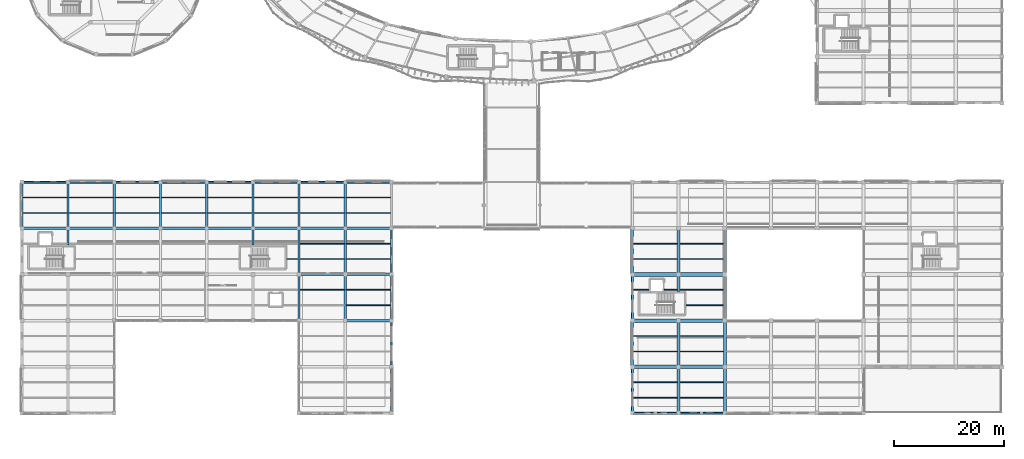
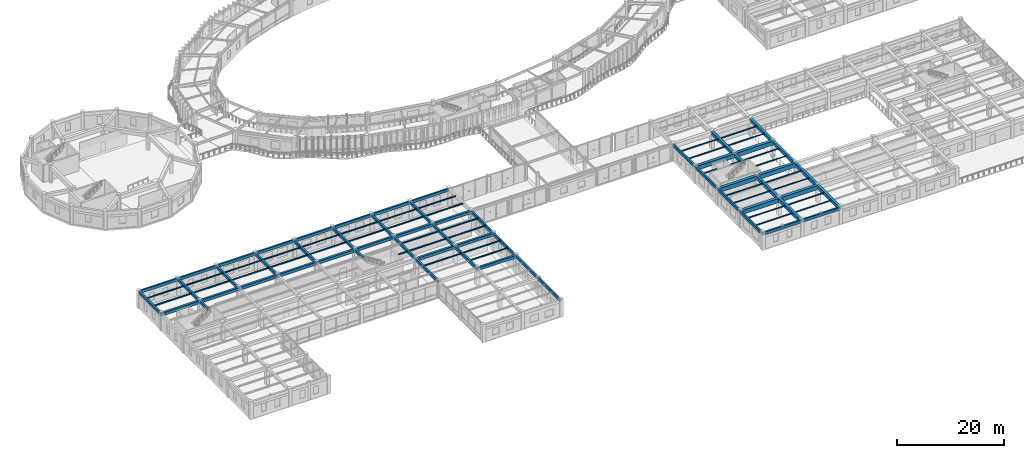
# One storey, part 24 of 152: 97 beams.
"""IFC4 building model written with IfcOpenShell, lengths in metres."""

from ifc_helpers import new_model, si_unit, direction, frame, origin, origin_2d, place, context, subcontext, project, spatial, rectangle, i_section, extrude, material, material_profile, profile_set, type_object, element, save


model = new_model("IFC4")

# Units and contexts
model_context = context("Model", 3, precision=1e-05, world=origin(), true_north=direction((0.0, 1.0)))
body_context = subcontext(model_context, "Body", "Model", "MODEL_VIEW")
ifc_project = project(units=[si_unit("LENGTHUNIT", "METRE"), si_unit("AREAUNIT", "SQUARE_METRE"), si_unit("VOLUMEUNIT", "CUBIC_METRE"), si_unit("PLANEANGLEUNIT", "RADIAN"), si_unit("MASSUNIT", "GRAM", prefix="KILO"), si_unit("THERMODYNAMICTEMPERATUREUNIT", "KELVIN"), si_unit("POWERUNIT", "WATT")], contexts=[model_context])

# Site, building, storey
site_placement = place(None, origin())
site = spatial("IfcSite", under=ifc_project, at=site_placement, CompositionType="ELEMENT")
building_placement = place(site_placement, origin())
building = spatial("IfcBuilding", under=site, at=building_placement, Name="Darbajah Civic Hall", CompositionType="ELEMENT")
storey_placement = place(building_placement, frame((0.0, 0.0, 5.39990234375)))
storey = spatial("IfcBuildingStorey", under=building, at=storey_placement, Name="L01", CompositionType="ELEMENT", Elevation=5.39990234375)

# Beams
ifc_material_1 = material(Name="Concrete C45/55", Category="concrete")
ifc_material_profile_1 = material_profile(ifc_material_1, rectangle(XDim=0.39990234375, YDim=0.60009765625, at=origin_2d()), Name="RC BEAM 400x600")
ifc_profile_set_1 = profile_set([ifc_material_profile_1], Name="Concrete C45/55")
beam_type_1 = type_object("IfcBeamType", Name="RC BEAM 400x600", PredefinedType="BEAM", material=ifc_profile_set_1)
beam_1_placement = place(storey_placement, frame((8.39990234375, 30.5400390625, 3.64013671875), z_axis=(0.0, 1.0, 0.0), x_axis=(-1.0, 0.0, 0.0)))
element("IfcBeam", 1, at=beam_1_placement, inside=storey, type_object=beam_type_1, Name="L01 beam BM-4060", PredefinedType="BEAM", context=body_context, shape_type="SweptSolid", body=[
    extrude(rectangle(XDim=0.39990234375, YDim=0.60009765625, at=origin_2d()), origin(), (0.0, 0.0, 1.0), 2.97998046875),
])
for number, where, z_axis, x_axis, name in (
    (2, (8.39990234375, 33.679931640625, 3.64013671875), (0.0, 1.0, 0.0), (-1.0, 0.0, 0.0), "L01 beam BM-4060"),
    (3, (16.800048828125, 33.679931640625, 3.64013671875), (0.0, 1.0, 0.0), (-1.0, 0.0, 0.0), "L01 beam BM-4060"),
    (4, (25.199951171875, 33.679931640625, 3.64013671875), (0.0, 1.0, 0.0), (-1.0, 0.0, 0.0), "L01 beam BM-4060"),
    (5, (33.60009765625, 33.679931640625, 3.64013671875), (0.0, 1.0, 0.0), (-1.0, 0.0, 0.0), "L01 beam BM-4060"),
):
    element("IfcBeam", number, at=place(storey_placement, frame(where, z_axis=z_axis, x_axis=x_axis)), inside=storey, type_object=beam_type_1, Name=name, PredefinedType="BEAM", context=body_context, shape_type="SweptSolid", body=[
        extrude(rectangle(XDim=0.39990234375, YDim=0.60009765625, at=origin_2d()), origin(), (0.0, 0.0, 1.0), 8.239990234375),
    ])
beam_2_placement = place(storey_placement, frame((42.0, 30.5400390625, 3.64013671875), z_axis=(0.0, 1.0, 0.0), x_axis=(-1.0, 0.0, 0.0)))
element("IfcBeam", 6, at=beam_2_placement, inside=storey, type_object=beam_type_1, Name="L01 beam BM-4060", PredefinedType="BEAM", context=body_context, shape_type="SweptSolid", body=[
    extrude(rectangle(XDim=0.39990234375, YDim=0.60009765625, at=origin_2d()), origin(), (0.0, 0.0, 1.0), 2.97998046875),
])
beam_3_placement = place(storey_placement, frame((42.0, 33.679931640625, 3.64013671875), z_axis=(0.0, 1.0, 0.0), x_axis=(-1.0, 0.0, 0.0)))
element("IfcBeam", 7, at=beam_3_placement, inside=storey, type_object=beam_type_1, Name="L01 beam BM-4060", PredefinedType="BEAM", context=body_context, shape_type="SweptSolid", body=[
    extrude(rectangle(XDim=0.39990234375, YDim=0.60009765625, at=origin_2d()), origin(), (0.0, 0.0, 1.0), 8.239990234375),
])
beam_4_placement = place(storey_placement, frame((50.39990234375, 16.8798828125, 3.64013671875), z_axis=(0.0, 1.0, 0.0), x_axis=(-1.0, 0.0, 0.0)))
element("IfcBeam", 8, at=beam_4_placement, inside=storey, type_object=beam_type_1, Name="L01 beam BM-4060", PredefinedType="BEAM", context=body_context, shape_type="SweptSolid", body=[
    extrude(rectangle(XDim=0.39990234375, YDim=0.60009765625, at=origin_2d()), origin(), (0.0, 0.0, 1.0), 8.240234375),
])
for number, where, z_axis, x_axis, name in (
    (9, (50.39990234375, 25.280029296875, 3.64013671875), (0.0, 1.0, 0.0), (-1.0, 0.0, 0.0), "L01 beam BM-4060"),
    (10, (50.39990234375, 33.679931640625, 3.64013671875), (0.0, 1.0, 0.0), (-1.0, 0.0, 0.0), "L01 beam BM-4060"),
):
    element("IfcBeam", number, at=place(storey_placement, frame(where, z_axis=z_axis, x_axis=x_axis)), inside=storey, type_object=beam_type_1, Name=name, PredefinedType="BEAM", context=body_context, shape_type="SweptSolid", body=[
        extrude(rectangle(XDim=0.39990234375, YDim=0.60009765625, at=origin_2d()), origin(), (0.0, 0.0, 1.0), 8.239990234375),
    ])
beam_5_placement = place(storey_placement, frame((58.800048828125, 16.8798828125, 3.64013671875), z_axis=(0.0, 1.0, 0.0), x_axis=(-1.0, 0.0, 0.0)))
element("IfcBeam", 11, at=beam_5_placement, inside=storey, type_object=beam_type_1, Name="L01 beam BM-4060", PredefinedType="BEAM", context=body_context, shape_type="SweptSolid", body=[
    extrude(rectangle(XDim=0.39990234375, YDim=0.60009765625, at=origin_2d()), origin(), (0.0, 0.0, 1.0), 8.240234375),
])
for number, where, z_axis, x_axis, name in (
    (12, (58.800048828125, 25.280029296875, 3.64013671875), (0.0, 1.0, 0.0), (-1.0, 0.0, 0.0), "L01 beam BM-4060"),
    (13, (58.800048828125, 33.679931640625, 3.64013671875), (0.0, 1.0, 0.0), (-1.0, 0.0, 0.0), "L01 beam BM-4060"),
):
    element("IfcBeam", number, at=place(storey_placement, frame(where, z_axis=z_axis, x_axis=x_axis)), inside=storey, type_object=beam_type_1, Name=name, PredefinedType="BEAM", context=body_context, shape_type="SweptSolid", body=[
        extrude(rectangle(XDim=0.39990234375, YDim=0.60009765625, at=origin_2d()), origin(), (0.0, 0.0, 1.0), 8.239990234375),
    ])
ifc_material_profile_2 = material_profile(ifc_material_1, rectangle(XDim=0.449951171875, YDim=0.64990234375, at=origin_2d()), Name="RC BEAM 450x650")
ifc_profile_set_2 = profile_set([ifc_material_profile_2], Name="Concrete C45/55")
beam_type_2 = type_object("IfcBeamType", Name="RC BEAM 450x650", PredefinedType="BEAM", material=ifc_profile_set_2)
beam_6_placement = place(storey_placement, frame((58.8798828125, 16.800048828125, 3.614990234375), z_axis=(1.0, 0.0, 0.0), x_axis=(0.0, 1.0, 0.0)))
element("IfcBeam", 14, at=beam_6_placement, inside=storey, type_object=beam_type_2, Name="L01 beam BM-4565", PredefinedType="BEAM", context=body_context, shape_type="SweptSolid", body=[
    extrude(rectangle(XDim=0.449951171875, YDim=0.64990234375, at=origin_2d()), origin(), (0.0, 0.0, 1.0), 8.240234375),
])
beam_7_placement = place(storey_placement, frame((50.47998046875, 25.199951171875, 3.614990234375), z_axis=(1.0, 0.0, 0.0), x_axis=(0.0, 1.0, 0.0)))
element("IfcBeam", 15, at=beam_7_placement, inside=storey, type_object=beam_type_2, Name="L01 beam BM-4565", PredefinedType="BEAM", context=body_context, shape_type="SweptSolid", body=[
    extrude(rectangle(XDim=0.449951171875, YDim=0.64990234375, at=origin_2d()), origin(), (0.0, 0.0, 1.0), 8.239990234375),
])
beam_8_placement = place(storey_placement, frame((58.8798828125, 25.199951171875, 3.614990234375), z_axis=(1.0, 0.0, 0.0), x_axis=(0.0, 1.0, 0.0)))
element("IfcBeam", 16, at=beam_8_placement, inside=storey, type_object=beam_type_2, Name="L01 beam BM-4565", PredefinedType="BEAM", context=body_context, shape_type="SweptSolid", body=[
    extrude(rectangle(XDim=0.449951171875, YDim=0.64990234375, at=origin_2d()), origin(), (0.0, 0.0, 1.0), 8.240234375),
])
for number, where, z_axis, x_axis, name in (
    (17, (0.080078125, 33.60009765625, 3.614990234375), (1.0, 0.0, 0.0), (0.0, 1.0, 0.0), "L01 beam BM-4565"),
    (18, (8.47998046875, 33.60009765625, 3.614990234375), (1.0, 0.0, 0.0), (0.0, 1.0, 0.0), "L01 beam BM-4565"),
):
    element("IfcBeam", number, at=place(storey_placement, frame(where, z_axis=z_axis, x_axis=x_axis)), inside=storey, type_object=beam_type_2, Name=name, PredefinedType="BEAM", context=body_context, shape_type="SweptSolid", body=[
        extrude(rectangle(XDim=0.449951171875, YDim=0.64990234375, at=origin_2d()), origin(), (0.0, 0.0, 1.0), 8.239990234375),
    ])
beam_9_placement = place(storey_placement, frame((16.8798828125, 33.60009765625, 3.614990234375), z_axis=(1.0, 0.0, 0.0), x_axis=(0.0, 1.0, 0.0)))
element("IfcBeam", 19, at=beam_9_placement, inside=storey, type_object=beam_type_2, Name="L01 beam BM-4565", PredefinedType="BEAM", context=body_context, shape_type="SweptSolid", body=[
    extrude(rectangle(XDim=0.449951171875, YDim=0.64990234375, at=origin_2d()), origin(), (0.0, 0.0, 1.0), 8.240234375),
])
for number, where, z_axis, x_axis, name in (
    (20, (25.280029296875, 33.60009765625, 3.614990234375), (1.0, 0.0, 0.0), (0.0, 1.0, 0.0), "L01 beam BM-4565"),
    (21, (33.679931640625, 33.60009765625, 3.614990234375), (1.0, 0.0, 0.0), (0.0, 1.0, 0.0), "L01 beam BM-4565"),
    (22, (42.080078125, 33.60009765625, 3.614990234375), (1.0, 0.0, 0.0), (0.0, 1.0, 0.0), "L01 beam BM-4565"),
    (23, (50.47998046875, 33.60009765625, 3.614990234375), (1.0, 0.0, 0.0), (0.0, 1.0, 0.0), "L01 beam BM-4565"),
):
    element("IfcBeam", number, at=place(storey_placement, frame(where, z_axis=z_axis, x_axis=x_axis)), inside=storey, type_object=beam_type_2, Name=name, PredefinedType="BEAM", context=body_context, shape_type="SweptSolid", body=[
        extrude(rectangle(XDim=0.449951171875, YDim=0.64990234375, at=origin_2d()), origin(), (0.0, 0.0, 1.0), 8.239990234375),
    ])
beam_10_placement = place(storey_placement, frame((58.8798828125, 33.60009765625, 3.614990234375), z_axis=(1.0, 0.0, 0.0), x_axis=(0.0, 1.0, 0.0)))
element("IfcBeam", 24, at=beam_10_placement, inside=storey, type_object=beam_type_2, Name="L01 beam BM-4565", PredefinedType="BEAM", context=body_context, shape_type="SweptSolid", body=[
    extrude(rectangle(XDim=0.449951171875, YDim=0.64990234375, at=origin_2d()), origin(), (0.0, 0.0, 1.0), 8.240234375),
])
ifc_material_profile_3 = material_profile(ifc_material_1, rectangle(XDim=0.550048828125, YDim=0.75, at=origin_2d()), Name="RC BEAM 550x750")
ifc_profile_set_3 = profile_set([ifc_material_profile_3], Name="Concrete C45/55")
beam_type_3 = type_object("IfcBeamType", Name="RC BEAM 550x750", PredefinedType="BEAM", material=ifc_profile_set_3)
for number, where, z_axis, x_axis, name in (
    (25, (119.39990234375, 0.080078125, 3.525146484375), (0.0, 1.0, 0.0), (-1.0, 0.0, 0.0), "L01 beam BM-5575"),
    (26, (119.39990234375, 8.47998046875, 3.525146484375), (0.0, 1.0, 0.0), (-1.0, 0.0, 0.0), "L01 beam BM-5575"),
):
    element("IfcBeam", number, at=place(storey_placement, frame(where, z_axis=z_axis, x_axis=x_axis)), inside=storey, type_object=beam_type_3, Name=name, PredefinedType="BEAM", context=body_context, shape_type="SweptSolid", body=[
        extrude(rectangle(XDim=0.550048828125, YDim=0.75, at=origin_2d()), origin(), (0.0, 0.0, 1.0), 8.239990234375),
    ])
beam_11_placement = place(storey_placement, frame((119.39990234375, 22.139892578125, 3.525146484375), z_axis=(0.0, 1.0, 0.0), x_axis=(-1.0, 0.0, 0.0)))
element("IfcBeam", 27, at=beam_11_placement, inside=storey, type_object=beam_type_3, Name="L01 beam BM-5575", PredefinedType="BEAM", context=body_context, shape_type="SweptSolid", body=[
    extrude(rectangle(XDim=0.550048828125, YDim=0.75, at=origin_2d()), origin(), (0.0, 0.0, 1.0), 2.980224609375),
])
for number, where, z_axis, x_axis, name in (
    (28, (119.39990234375, 25.280029296875, 3.525146484375), (0.0, 1.0, 0.0), (-1.0, 0.0, 0.0), "L01 beam BM-5575"),
    (29, (127.800048828125, 0.080078125, 3.525146484375), (0.0, 1.0, 0.0), (-1.0, 0.0, 0.0), "L01 beam BM-5575"),
    (30, (127.800048828125, 8.47998046875, 3.525146484375), (0.0, 1.0, 0.0), (-1.0, 0.0, 0.0), "L01 beam BM-5575"),
):
    element("IfcBeam", number, at=place(storey_placement, frame(where, z_axis=z_axis, x_axis=x_axis)), inside=storey, type_object=beam_type_3, Name=name, PredefinedType="BEAM", context=body_context, shape_type="SweptSolid", body=[
        extrude(rectangle(XDim=0.550048828125, YDim=0.75, at=origin_2d()), origin(), (0.0, 0.0, 1.0), 8.239990234375),
    ])
beam_12_placement = place(storey_placement, frame((127.800048828125, 16.8798828125, 3.525146484375), z_axis=(0.0, 1.0, 0.0), x_axis=(-1.0, 0.0, 0.0)))
element("IfcBeam", 31, at=beam_12_placement, inside=storey, type_object=beam_type_3, Name="L01 beam BM-5575", PredefinedType="BEAM", context=body_context, shape_type="SweptSolid", body=[
    extrude(rectangle(XDim=0.550048828125, YDim=0.75, at=origin_2d()), origin(), (0.0, 0.0, 1.0), 8.240234375),
])
beam_13_placement = place(storey_placement, frame((127.800048828125, 25.280029296875, 3.525146484375), z_axis=(0.0, 1.0, 0.0), x_axis=(-1.0, 0.0, 0.0)))
element("IfcBeam", 32, at=beam_13_placement, inside=storey, type_object=beam_type_3, Name="L01 beam BM-5575", PredefinedType="BEAM", context=body_context, shape_type="SweptSolid", body=[
    extrude(rectangle(XDim=0.550048828125, YDim=0.75, at=origin_2d()), origin(), (0.0, 0.0, 1.0), 8.239990234375),
])
ifc_material_2 = material(Name="Concrete C50/60", Category="concrete")
ifc_material_profile_4 = material_profile(ifc_material_2, rectangle(XDim=0.64990234375, YDim=0.949951171875, at=origin_2d()), Name="RC GIRDER 650x950")
ifc_profile_set_4 = profile_set([ifc_material_profile_4], Name="Concrete C50/60")
beam_type_4 = type_object("IfcBeamType", Name="RC GIRDER 650x950", PredefinedType="BEAM", material=ifc_profile_set_4)
for number, where, z_axis, x_axis, name in (
    (33, (111.080078125, 8.39990234375, 3.425048828125), (1.0, 0.0, 0.0), (0.0, 1.0, 0.0), "L01 beam BG-6595"),
    (34, (119.47998046875, 8.39990234375, 3.425048828125), (1.0, 0.0, 0.0), (0.0, 1.0, 0.0), "L01 beam BG-6595"),
    (35, (111.080078125, 16.800048828125, 3.425048828125), (1.0, 0.0, 0.0), (0.0, 1.0, 0.0), "L01 beam BG-6595"),
    (36, (119.47998046875, 16.800048828125, 3.425048828125), (1.0, 0.0, 0.0), (0.0, 1.0, 0.0), "L01 beam BG-6595"),
    (37, (111.080078125, 25.199951171875, 3.425048828125), (1.0, 0.0, 0.0), (0.0, 1.0, 0.0), "L01 beam BG-6595"),
    (38, (119.47998046875, 25.199951171875, 3.425048828125), (1.0, 0.0, 0.0), (0.0, 1.0, 0.0), "L01 beam BG-6595"),
):
    element("IfcBeam", number, at=place(storey_placement, frame(where, z_axis=z_axis, x_axis=x_axis)), inside=storey, type_object=beam_type_4, Name=name, PredefinedType="BEAM", context=body_context, shape_type="SweptSolid", body=[
        extrude(rectangle(XDim=0.64990234375, YDim=0.949951171875, at=origin_2d()), origin(), (0.0, 0.0, 1.0), 8.239990234375),
    ])
ifc_material_profile_5 = material_profile(ifc_material_1, rectangle(XDim=0.35009765625, YDim=0.64990234375, at=origin_2d()), Name="RC SPANDREL 350x650")
ifc_profile_set_5 = profile_set([ifc_material_profile_5], Name="Concrete C45/55")
beam_type_5 = type_object("IfcBeamType", Name="RC SPANDREL 350x650", PredefinedType="SPANDREL", material=ifc_profile_set_5)
for number, where, z_axis, x_axis, name in (
    (39, (111.080078125, 0.0, 3.5751953125), (1.0, 0.0, 0.0), (0.0, 1.0, 0.0), "L01 beam SP-3565"),
    (40, (119.47998046875, 0.0, 3.5751953125), (1.0, 0.0, 0.0), (0.0, 1.0, 0.0), "L01 beam SP-3565"),
    (41, (111.0, 0.080078125, 3.5751953125), (0.0, 1.0, 0.0), (-1.0, 0.0, 0.0), "L01 beam SP-3565"),
    (42, (111.0, 8.47998046875, 3.5751953125), (0.0, 1.0, 0.0), (-1.0, 0.0, 0.0), "L01 beam SP-3565"),
):
    element("IfcBeam", number, at=place(storey_placement, frame(where, z_axis=z_axis, x_axis=x_axis)), inside=storey, type_object=beam_type_5, Name=name, PredefinedType="SPANDREL", context=body_context, shape_type="SweptSolid", body=[
        extrude(rectangle(XDim=0.35009765625, YDim=0.64990234375, at=origin_2d()), origin(), (0.0, 0.0, 1.0), 8.239990234375),
    ])
beam_14_placement = place(storey_placement, frame((111.0, 16.8798828125, 3.5751953125), z_axis=(0.0, 1.0, 0.0), x_axis=(-1.0, 0.0, 0.0)))
element("IfcBeam", 43, at=beam_14_placement, inside=storey, type_object=beam_type_5, Name="L01 beam SP-3565", PredefinedType="SPANDREL", context=body_context, shape_type="SweptSolid", body=[
    extrude(rectangle(XDim=0.35009765625, YDim=0.64990234375, at=origin_2d()), origin(), (0.0, 0.0, 1.0), 8.240234375),
])
for number, where, z_axis, x_axis, name in (
    (44, (111.0, 25.280029296875, 3.5751953125), (0.0, 1.0, 0.0), (-1.0, 0.0, 0.0), "L01 beam SP-3565"),
    (45, (0.080078125, 42.0, 3.614990234375), (1.0, 0.0, 0.0), (0.0, 1.0, 0.0), "L01 beam SP-3565"),
    (46, (8.47998046875, 42.0, 3.614990234375), (1.0, 0.0, 0.0), (0.0, 1.0, 0.0), "L01 beam SP-3565"),
):
    element("IfcBeam", number, at=place(storey_placement, frame(where, z_axis=z_axis, x_axis=x_axis)), inside=storey, type_object=beam_type_5, Name=name, PredefinedType="SPANDREL", context=body_context, shape_type="SweptSolid", body=[
        extrude(rectangle(XDim=0.35009765625, YDim=0.64990234375, at=origin_2d()), origin(), (0.0, 0.0, 1.0), 8.239990234375),
    ])
beam_15_placement = place(storey_placement, frame((16.8798828125, 42.0, 3.614990234375), z_axis=(1.0, 0.0, 0.0), x_axis=(0.0, 1.0, 0.0)))
element("IfcBeam", 47, at=beam_15_placement, inside=storey, type_object=beam_type_5, Name="L01 beam SP-3565", PredefinedType="SPANDREL", context=body_context, shape_type="SweptSolid", body=[
    extrude(rectangle(XDim=0.35009765625, YDim=0.64990234375, at=origin_2d()), origin(), (0.0, 0.0, 1.0), 8.240234375),
])
for number, where, z_axis, x_axis, name in (
    (48, (25.280029296875, 42.0, 3.614990234375), (1.0, 0.0, 0.0), (0.0, 1.0, 0.0), "L01 beam SP-3565"),
    (49, (33.679931640625, 42.0, 3.614990234375), (1.0, 0.0, 0.0), (0.0, 1.0, 0.0), "L01 beam SP-3565"),
    (50, (42.080078125, 42.0, 3.614990234375), (1.0, 0.0, 0.0), (0.0, 1.0, 0.0), "L01 beam SP-3565"),
    (51, (50.47998046875, 42.0, 3.614990234375), (1.0, 0.0, 0.0), (0.0, 1.0, 0.0), "L01 beam SP-3565"),
):
    element("IfcBeam", number, at=place(storey_placement, frame(where, z_axis=z_axis, x_axis=x_axis)), inside=storey, type_object=beam_type_5, Name=name, PredefinedType="SPANDREL", context=body_context, shape_type="SweptSolid", body=[
        extrude(rectangle(XDim=0.35009765625, YDim=0.64990234375, at=origin_2d()), origin(), (0.0, 0.0, 1.0), 8.239990234375),
    ])
beam_16_placement = place(storey_placement, frame((58.8798828125, 42.0, 3.614990234375), z_axis=(1.0, 0.0, 0.0), x_axis=(0.0, 1.0, 0.0)))
element("IfcBeam", 52, at=beam_16_placement, inside=storey, type_object=beam_type_5, Name="L01 beam SP-3565", PredefinedType="SPANDREL", context=body_context, shape_type="SweptSolid", body=[
    extrude(rectangle(XDim=0.35009765625, YDim=0.64990234375, at=origin_2d()), origin(), (0.0, 0.0, 1.0), 8.240234375),
])
for number, where, z_axis, x_axis, name in (
    (53, (0.0, 33.679931640625, 3.614990234375), (0.0, 1.0, 0.0), (-1.0, 0.0, 0.0), "L01 beam SP-3565"),
    (54, (67.199951171875, 0.080078125, 3.614990234375), (0.0, 1.0, 0.0), (-1.0, 0.0, 0.0), "L01 beam SP-3565"),
    (55, (67.199951171875, 8.47998046875, 3.614990234375), (0.0, 1.0, 0.0), (-1.0, 0.0, 0.0), "L01 beam SP-3565"),
):
    element("IfcBeam", number, at=place(storey_placement, frame(where, z_axis=z_axis, x_axis=x_axis)), inside=storey, type_object=beam_type_5, Name=name, PredefinedType="SPANDREL", context=body_context, shape_type="SweptSolid", body=[
        extrude(rectangle(XDim=0.35009765625, YDim=0.64990234375, at=origin_2d()), origin(), (0.0, 0.0, 1.0), 8.239990234375),
    ])
beam_17_placement = place(storey_placement, frame((67.199951171875, 16.8798828125, 3.614990234375), z_axis=(0.0, 1.0, 0.0), x_axis=(-1.0, 0.0, 0.0)))
element("IfcBeam", 56, at=beam_17_placement, inside=storey, type_object=beam_type_5, Name="L01 beam SP-3565", PredefinedType="SPANDREL", context=body_context, shape_type="SweptSolid", body=[
    extrude(rectangle(XDim=0.35009765625, YDim=0.64990234375, at=origin_2d()), origin(), (0.0, 0.0, 1.0), 8.240234375),
])
beam_18_placement = place(storey_placement, frame((67.199951171875, 25.280029296875, 3.614990234375), z_axis=(0.0, 1.0, 0.0), x_axis=(-1.0, 0.0, 0.0)))
element("IfcBeam", 57, at=beam_18_placement, inside=storey, type_object=beam_type_5, Name="L01 beam SP-3565", PredefinedType="SPANDREL", context=body_context, shape_type="SweptSolid", body=[
    extrude(rectangle(XDim=0.35009765625, YDim=0.64990234375, at=origin_2d()), origin(), (0.0, 0.0, 1.0), 8.239990234375),
])
ifc_material_3 = material(Name="Steel S355JR", Category="steel")
ifc_material_profile_6 = material_profile(ifc_material_3, i_section(OverallWidth=0.1337890625, OverallDepth=0.206787109375, WebThickness=0.00634765625, FlangeThickness=0.009521484375, FilletRadius=0.007568359375, at=origin_2d()), Name="UB 203x133x30")
ifc_profile_set_6 = profile_set([ifc_material_profile_6], Name="Steel S355JR")
beam_type_6 = type_object("IfcBeamType", Name="UB 203x133x30", PredefinedType="JOIST", material=ifc_profile_set_6)
for number, where, z_axis, x_axis, name in (
    (58, (0.175048828125, 36.39990234375, 3.836669921875), (1.0, 0.0, 0.0), (0.0, 1.0, 0.0), "L01 beam SJ-203"),
    (59, (0.175048828125, 39.199951171875, 3.836669921875), (1.0, 0.0, 0.0), (0.0, 1.0, 0.0), "L01 beam SJ-203"),
):
    element("IfcBeam", number, at=place(storey_placement, frame(where, z_axis=z_axis, x_axis=x_axis)), inside=storey, type_object=beam_type_6, Name=name, PredefinedType="JOIST", context=body_context, shape_type="SweptSolid", body=[
        extrude(i_section(OverallWidth=0.1337890625, OverallDepth=0.206787109375, WebThickness=0.00634765625, FlangeThickness=0.009521484375, FilletRadius=0.007568359375, at=origin_2d()), origin(), (0.0, 0.0, 1.0), 8.02490234375),
    ])
for number, where, z_axis, x_axis, name in (
    (60, (8.60009765625, 36.39990234375, 3.836669921875), (1.0, 0.0, 0.0), (0.0, 1.0, 0.0), "L01 beam SJ-203"),
    (61, (8.60009765625, 39.199951171875, 3.836669921875), (1.0, 0.0, 0.0), (0.0, 1.0, 0.0), "L01 beam SJ-203"),
    (62, (17.0, 36.39990234375, 3.836669921875), (1.0, 0.0, 0.0), (0.0, 1.0, 0.0), "L01 beam SJ-203"),
    (63, (17.0, 39.199951171875, 3.836669921875), (1.0, 0.0, 0.0), (0.0, 1.0, 0.0), "L01 beam SJ-203"),
    (64, (25.39990234375, 36.39990234375, 3.836669921875), (1.0, 0.0, 0.0), (0.0, 1.0, 0.0), "L01 beam SJ-203"),
    (65, (25.39990234375, 39.199951171875, 3.836669921875), (1.0, 0.0, 0.0), (0.0, 1.0, 0.0), "L01 beam SJ-203"),
    (66, (33.800048828125, 36.39990234375, 3.836669921875), (1.0, 0.0, 0.0), (0.0, 1.0, 0.0), "L01 beam SJ-203"),
    (67, (33.800048828125, 39.199951171875, 3.836669921875), (1.0, 0.0, 0.0), (0.0, 1.0, 0.0), "L01 beam SJ-203"),
):
    element("IfcBeam", number, at=place(storey_placement, frame(where, z_axis=z_axis, x_axis=x_axis)), inside=storey, type_object=beam_type_6, Name=name, PredefinedType="JOIST", context=body_context, shape_type="SweptSolid", body=[
        extrude(i_section(OverallWidth=0.1337890625, OverallDepth=0.206787109375, WebThickness=0.00634765625, FlangeThickness=0.009521484375, FilletRadius=0.007568359375, at=origin_2d()), origin(), (0.0, 0.0, 1.0), 8.0),
    ])
beam_19_placement = place(storey_placement, frame((48.139892578125, 28.0, 3.836669921875), z_axis=(1.0, 0.0, 0.0), x_axis=(0.0, 1.0, 0.0)))
element("IfcBeam", 68, at=beam_19_placement, inside=storey, type_object=beam_type_6, Name="L01 beam SJ-203", PredefinedType="JOIST", context=body_context, shape_type="SweptSolid", body=[
    extrude(i_section(OverallWidth=0.1337890625, OverallDepth=0.206787109375, WebThickness=0.00634765625, FlangeThickness=0.009521484375, FilletRadius=0.007568359375, at=origin_2d()), origin(), (0.0, 0.0, 1.0), 2.06005859375),
])
for number, where, z_axis, x_axis, name in (
    (69, (42.199951171875, 36.39990234375, 3.836669921875), (1.0, 0.0, 0.0), (0.0, 1.0, 0.0), "L01 beam SJ-203"),
    (70, (42.199951171875, 39.199951171875, 3.836669921875), (1.0, 0.0, 0.0), (0.0, 1.0, 0.0), "L01 beam SJ-203"),
    (71, (50.60009765625, 22.39990234375, 3.836669921875), (1.0, 0.0, 0.0), (0.0, 1.0, 0.0), "L01 beam SJ-203"),
    (72, (50.60009765625, 28.0, 3.836669921875), (1.0, 0.0, 0.0), (0.0, 1.0, 0.0), "L01 beam SJ-203"),
    (73, (50.60009765625, 30.800048828125, 3.836669921875), (1.0, 0.0, 0.0), (0.0, 1.0, 0.0), "L01 beam SJ-203"),
    (74, (50.60009765625, 36.39990234375, 3.836669921875), (1.0, 0.0, 0.0), (0.0, 1.0, 0.0), "L01 beam SJ-203"),
    (75, (50.60009765625, 39.199951171875, 3.836669921875), (1.0, 0.0, 0.0), (0.0, 1.0, 0.0), "L01 beam SJ-203"),
):
    element("IfcBeam", number, at=place(storey_placement, frame(where, z_axis=z_axis, x_axis=x_axis)), inside=storey, type_object=beam_type_6, Name=name, PredefinedType="JOIST", context=body_context, shape_type="SweptSolid", body=[
        extrude(i_section(OverallWidth=0.1337890625, OverallDepth=0.206787109375, WebThickness=0.00634765625, FlangeThickness=0.009521484375, FilletRadius=0.007568359375, at=origin_2d()), origin(), (0.0, 0.0, 1.0), 8.0),
    ])
for number, where, z_axis, x_axis, name in (
    (76, (59.0, 19.60009765625, 3.836669921875), (1.0, 0.0, 0.0), (0.0, 1.0, 0.0), "L01 beam SJ-203"),
    (77, (59.0, 22.39990234375, 3.836669921875), (1.0, 0.0, 0.0), (0.0, 1.0, 0.0), "L01 beam SJ-203"),
    (78, (59.0, 28.0, 3.836669921875), (1.0, 0.0, 0.0), (0.0, 1.0, 0.0), "L01 beam SJ-203"),
    (79, (59.0, 30.800048828125, 3.836669921875), (1.0, 0.0, 0.0), (0.0, 1.0, 0.0), "L01 beam SJ-203"),
    (80, (59.0, 36.39990234375, 3.836669921875), (1.0, 0.0, 0.0), (0.0, 1.0, 0.0), "L01 beam SJ-203"),
    (81, (59.0, 39.199951171875, 3.836669921875), (1.0, 0.0, 0.0), (0.0, 1.0, 0.0), "L01 beam SJ-203"),
):
    element("IfcBeam", number, at=place(storey_placement, frame(where, z_axis=z_axis, x_axis=x_axis)), inside=storey, type_object=beam_type_6, Name=name, PredefinedType="JOIST", context=body_context, shape_type="SweptSolid", body=[
        extrude(i_section(OverallWidth=0.1337890625, OverallDepth=0.206787109375, WebThickness=0.00634765625, FlangeThickness=0.009521484375, FilletRadius=0.007568359375, at=origin_2d()), origin(), (0.0, 0.0, 1.0), 8.02490234375),
    ])
ifc_material_profile_7 = material_profile(ifc_material_3, i_section(OverallWidth=0.146484375, OverallDepth=0.256103515625, WebThickness=0.00634765625, FlangeThickness=0.010986328125, FilletRadius=0.007568359375, at=origin_2d()), Name="UB 254x146x37")
ifc_profile_set_7 = profile_set([ifc_material_profile_7], Name="Steel S355JR")
beam_type_7 = type_object("IfcBeamType", Name="UB 254x146x37", PredefinedType="JOIST", material=ifc_profile_set_7)
for number, where, z_axis, x_axis, name in (
    (82, (111.175048828125, 2.800048828125, 3.772216796875), (1.0, 0.0, 0.0), (0.0, 1.0, 0.0), "L01 beam SJ-254"),
    (83, (111.175048828125, 5.60009765625, 3.772216796875), (1.0, 0.0, 0.0), (0.0, 1.0, 0.0), "L01 beam SJ-254"),
    (84, (111.175048828125, 11.199951171875, 3.772216796875), (1.0, 0.0, 0.0), (0.0, 1.0, 0.0), "L01 beam SJ-254"),
    (85, (111.175048828125, 14.0, 3.772216796875), (1.0, 0.0, 0.0), (0.0, 1.0, 0.0), "L01 beam SJ-254"),
):
    element("IfcBeam", number, at=place(storey_placement, frame(where, z_axis=z_axis, x_axis=x_axis)), inside=storey, type_object=beam_type_7, Name=name, PredefinedType="JOIST", context=body_context, shape_type="SweptSolid", body=[
        extrude(i_section(OverallWidth=0.146484375, OverallDepth=0.256103515625, WebThickness=0.00634765625, FlangeThickness=0.010986328125, FilletRadius=0.007568359375, at=origin_2d()), origin(), (0.0, 0.0, 1.0), 7.949951171875),
    ])
beam_20_placement = place(storey_placement, frame((111.175048828125, 22.39990234375, 3.772216796875), z_axis=(1.0, 0.0, 0.0), x_axis=(0.0, 1.0, 0.0)))
element("IfcBeam", 86, at=beam_20_placement, inside=storey, type_object=beam_type_7, Name="L01 beam SJ-254", PredefinedType="JOIST", context=body_context, shape_type="SweptSolid", body=[
    extrude(i_section(OverallWidth=0.146484375, OverallDepth=0.256103515625, WebThickness=0.00634765625, FlangeThickness=0.010986328125, FilletRadius=0.007568359375, at=origin_2d()), origin(), (0.0, 0.0, 1.0), 2.905029296875),
])
beam_21_placement = place(storey_placement, frame((116.820068359375, 22.39990234375, 3.772216796875), z_axis=(1.0, 0.0, 0.0), x_axis=(0.0, 1.0, 0.0)))
element("IfcBeam", 87, at=beam_21_placement, inside=storey, type_object=beam_type_7, Name="L01 beam SJ-254", PredefinedType="JOIST", context=body_context, shape_type="SweptSolid", body=[
    extrude(i_section(OverallWidth=0.146484375, OverallDepth=0.256103515625, WebThickness=0.00634765625, FlangeThickness=0.010986328125, FilletRadius=0.007568359375, at=origin_2d()), origin(), (0.0, 0.0, 1.0), 2.304931640625),
])
for number, where, z_axis, x_axis, name in (
    (88, (111.175048828125, 28.0, 3.772216796875), (1.0, 0.0, 0.0), (0.0, 1.0, 0.0), "L01 beam SJ-254"),
    (89, (111.175048828125, 30.800048828125, 3.772216796875), (1.0, 0.0, 0.0), (0.0, 1.0, 0.0), "L01 beam SJ-254"),
):
    element("IfcBeam", number, at=place(storey_placement, frame(where, z_axis=z_axis, x_axis=x_axis)), inside=storey, type_object=beam_type_7, Name=name, PredefinedType="JOIST", context=body_context, shape_type="SweptSolid", body=[
        extrude(i_section(OverallWidth=0.146484375, OverallDepth=0.256103515625, WebThickness=0.00634765625, FlangeThickness=0.010986328125, FilletRadius=0.007568359375, at=origin_2d()), origin(), (0.0, 0.0, 1.0), 7.949951171875),
    ])
for number, where, z_axis, x_axis, name in (
    (90, (119.675048828125, 2.800048828125, 3.772216796875), (1.0, 0.0, 0.0), (0.0, 1.0, 0.0), "L01 beam SJ-254"),
    (91, (119.675048828125, 5.60009765625, 3.772216796875), (1.0, 0.0, 0.0), (0.0, 1.0, 0.0), "L01 beam SJ-254"),
    (92, (119.675048828125, 11.199951171875, 3.772216796875), (1.0, 0.0, 0.0), (0.0, 1.0, 0.0), "L01 beam SJ-254"),
    (93, (119.675048828125, 14.0, 3.772216796875), (1.0, 0.0, 0.0), (0.0, 1.0, 0.0), "L01 beam SJ-254"),
):
    element("IfcBeam", number, at=place(storey_placement, frame(where, z_axis=z_axis, x_axis=x_axis)), inside=storey, type_object=beam_type_7, Name=name, PredefinedType="JOIST", context=body_context, shape_type="SweptSolid", body=[
        extrude(i_section(OverallWidth=0.146484375, OverallDepth=0.256103515625, WebThickness=0.00634765625, FlangeThickness=0.010986328125, FilletRadius=0.007568359375, at=origin_2d()), origin(), (0.0, 0.0, 1.0), 7.849853515625),
    ])
beam_22_placement = place(storey_placement, frame((120.739990234375, 19.60009765625, 3.772216796875), z_axis=(1.0, 0.0, 0.0), x_axis=(0.0, 1.0, 0.0)))
element("IfcBeam", 94, at=beam_22_placement, inside=storey, type_object=beam_type_7, Name="L01 beam SJ-254", PredefinedType="JOIST", context=body_context, shape_type="SweptSolid", body=[
    extrude(i_section(OverallWidth=0.146484375, OverallDepth=0.256103515625, WebThickness=0.00634765625, FlangeThickness=0.010986328125, FilletRadius=0.007568359375, at=origin_2d()), origin(), (0.0, 0.0, 1.0), 6.784912109375),
])
for number, where, z_axis, x_axis, name in (
    (95, (119.675048828125, 22.39990234375, 3.772216796875), (1.0, 0.0, 0.0), (0.0, 1.0, 0.0), "L01 beam SJ-254"),
    (96, (119.675048828125, 28.0, 3.772216796875), (1.0, 0.0, 0.0), (0.0, 1.0, 0.0), "L01 beam SJ-254"),
    (97, (119.675048828125, 30.800048828125, 3.772216796875), (1.0, 0.0, 0.0), (0.0, 1.0, 0.0), "L01 beam SJ-254"),
):
    element("IfcBeam", number, at=place(storey_placement, frame(where, z_axis=z_axis, x_axis=x_axis)), inside=storey, type_object=beam_type_7, Name=name, PredefinedType="JOIST", context=body_context, shape_type="SweptSolid", body=[
        extrude(i_section(OverallWidth=0.146484375, OverallDepth=0.256103515625, WebThickness=0.00634765625, FlangeThickness=0.010986328125, FilletRadius=0.007568359375, at=origin_2d()), origin(), (0.0, 0.0, 1.0), 7.849853515625),
    ])

save(model, "model.ifc")
